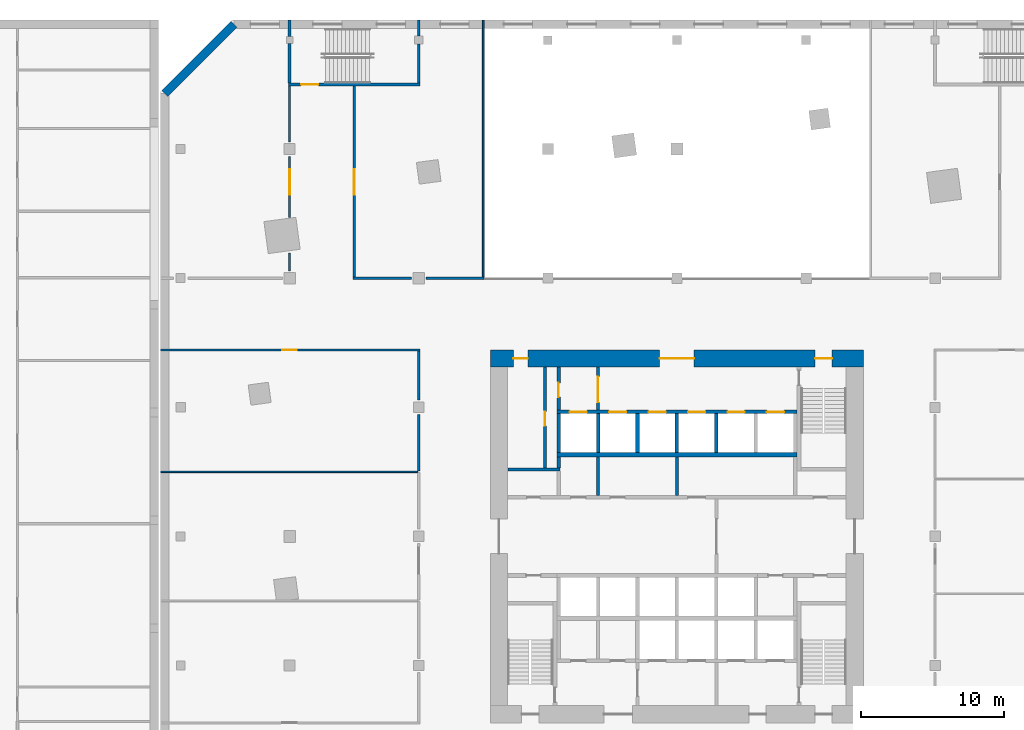
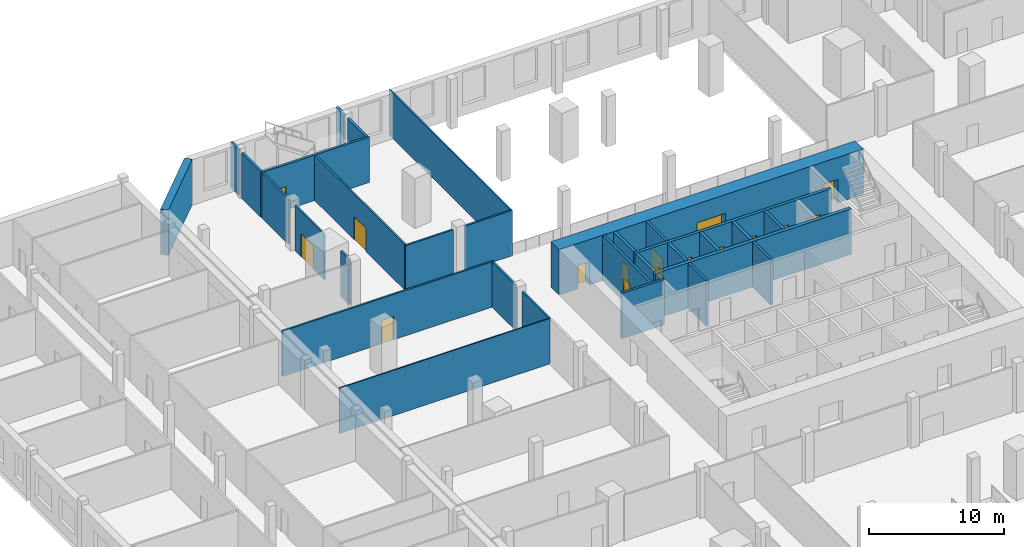
# One storey, part 16 of 27: 32 walls, 16 doors, 16 openings.
"""IFC4 building model written with IfcOpenShell, lengths in metres."""

from ifc_helpers import new_model, si_unit, direction, frame, frame_2d, origin, place, context, subcontext, project, spatial, rectangle, extrude, material, layer, layer_set, type_object, element, fill, save


model = new_model("IFC4")

# Units and contexts
model_context = context("Model", 3, precision=1e-05, world=origin(), true_north=direction((0.0, 1.0)))
body_context = subcontext(model_context, "Body", "Model", "MODEL_VIEW")
ifc_project = project(units=[si_unit("LENGTHUNIT", "METRE"), si_unit("AREAUNIT", "SQUARE_METRE"), si_unit("VOLUMEUNIT", "CUBIC_METRE"), si_unit("PLANEANGLEUNIT", "RADIAN"), si_unit("MASSUNIT", "GRAM", prefix="KILO")], contexts=[model_context])

# Site, building, storey
site_placement = place(None, origin())
site = spatial("IfcSite", under=ifc_project, at=site_placement, CompositionType="ELEMENT")
building_placement = place(site_placement, origin())
building = spatial("IfcBuilding", under=site, at=building_placement, Name="Dilmun Exchange Tower", CompositionType="ELEMENT")
storey_placement = place(building_placement, frame((0.0, 0.0, 4.5)))
storey = spatial("IfcBuildingStorey", under=building, at=storey_placement, Name="L01", CompositionType="ELEMENT", Elevation=4.5)

# Walls
ifc_material_1 = material(Name="Concrete C40/50", Category="concrete")
ifc_layer_1 = layer(ifc_material_1, 0.199951171875)
ifc_layer_set_1 = layer_set([ifc_layer_1], Name="Concrete C40/50")
wall_type_1 = type_object("IfcWallType", Name="Core partition wall 200", PredefinedType="PARTITIONING", material=ifc_layer_set_1)
for number, where, z_axis, x_axis, name in (
    (1, (-5.5, 2.85498046875, 0.0), (0.0, 0.0, 1.0), (0.0, 1.0, 0.0), "L01 core partition wall 12"),
    (2, (0.0, 2.85498046875, 0.0), (0.0, 0.0, 1.0), (0.0, 1.0, 0.0), "L01 core partition wall 13"),
):
    element("IfcWall", number, at=place(storey_placement, frame(where, z_axis=z_axis, x_axis=x_axis)), inside=storey, type_object=wall_type_1, Name=name, PredefinedType="PARTITIONING", context=body_context, shape_type="SweptSolid", body=[
        extrude(rectangle(XDim=2.68994140625, YDim=0.199951171875, at=frame_2d((1.344970703125, 0.0))), origin(), (0.0, 0.0, 1.0), 4.10009765625),
    ])
wall_1_placement = place(storey_placement, frame((-11.794921875, 4.675048828125, 0.0), z_axis=(0.0, 0.0, 1.0), x_axis=(1.0, 0.0, 0.0)))
element("IfcWall", 3, at=wall_1_placement, inside=storey, type_object=wall_type_1, Name="L01 core partition wall 15", PredefinedType="PARTITIONING", context=body_context, shape_type="SweptSolid", body=[
    extrude(rectangle(XDim=3.64501953125, YDim=0.199951171875, at=frame_2d((1.822509765625, 0.0))), origin(), (0.0, 0.0, 1.0), 4.10009765625),
])

# Wall, opening, door
wall_2_placement = place(storey_placement, frame((-9.199951171875, 4.780029296875, 0.0), z_axis=(0.0, 0.0, 1.0), x_axis=(0.0, 1.0, 0.0)))
wall_2 = element("IfcWall", 4, at=wall_2_placement, inside=storey, type_object=wall_type_1, Name="L01 core partition wall 16", PredefinedType="PARTITIONING", context=body_context, shape_type="SweptSolid", body=[
    extrude(rectangle(XDim=7.014892578125, YDim=0.199951171875, at=frame_2d((3.50732421875, 0.0))), origin(), (0.0, 0.0, 1.0), 4.10009765625),
])
opening_1_placement = place(wall_2_placement, frame((2.919921875, 0.0, 0.0)))
opening_1 = element("IfcOpeningElement", 5, at=opening_1_placement, cuts=wall_2, Name="Opening CD4", PredefinedType="OPENING", context=body_context, shape_type="SweptSolid", body=[
    extrude(rectangle(XDim=1.0, YDim=2.10009765625, at=frame_2d((0.5, 1.050048828125))), frame((0.0, 0.10986328125, 0.0), z_axis=(0.0, -1.0, 0.0), x_axis=(1.0, 0.0, 0.0)), (0.0, 0.0, 1.0), 0.219970703125),
])
ifc_material_2 = material(Name="Fire-rated steel door set", Category="steel")
door_type_1 = type_object("IfcDoorType", Name="Core room door 1000x2100", OperationType="SINGLE_SWING_LEFT", PredefinedType="DOOR", material=ifc_material_2)
door_1_placement = place(opening_1_placement, origin())
door_1 = element("IfcDoor", 6, at=door_1_placement, inside=storey, type_object=door_type_1, Name="L01 door Fire safety store", OperationType="SINGLE_SWING_RIGHT", OverallHeight=2.10009765625, OverallWidth=1.0, PredefinedType="DOOR", context=body_context, shape_type="SweptSolid", body=[
    extrude(rectangle(XDim=1.0, YDim=2.10009765625, at=frame_2d((0.5, 1.050048828125))), frame((0.0, 0.02490234375, 0.0), z_axis=(0.0, -1.0, 0.0), x_axis=(1.0, 0.0, 0.0)), (0.0, 0.0, 1.0), 0.050048828125),
])
fill(opening_1, door_1)

wall_3_placement = place(storey_placement, frame((-5.5, 8.804931640625, 0.0), z_axis=(0.0, 0.0, 1.0), x_axis=(0.0, 1.0, 0.0)))
wall_3 = element("IfcWall", 7, at=wall_3_placement, inside=storey, type_object=wall_type_1, Name="L01 core partition wall 19", PredefinedType="PARTITIONING", context=body_context, shape_type="SweptSolid", body=[
    extrude(rectangle(XDim=2.989990234375, YDim=0.199951171875, at=frame_2d((1.4951171875, 0.0))), origin(), (0.0, 0.0, 1.0), 4.10009765625),
])
opening_2_placement = place(wall_3_placement, frame((0.532470703125, 0.0, 0.0)))
opening_2 = element("IfcOpeningElement", 8, at=opening_2_placement, cuts=wall_3, Name="Opening CD5", PredefinedType="OPENING", context=body_context, shape_type="SweptSolid", body=[
    extrude(rectangle(XDim=1.800048828125, YDim=2.10009765625, at=frame_2d((0.89990234375, 1.050048828125))), frame((0.0, 0.10986328125, 0.0), z_axis=(0.0, -1.0, 0.0), x_axis=(1.0, 0.0, 0.0)), (0.0, 0.0, 1.0), 0.219970703125),
])
door_type_2 = type_object("IfcDoorType", Name="Stair exit door 1800x2100", OperationType="SINGLE_SWING_LEFT", PredefinedType="DOOR", material=ifc_material_2)
door_2_placement = place(opening_2_placement, origin())
door_2 = element("IfcDoor", 9, at=door_2_placement, inside=storey, type_object=door_type_2, Name="L01 door Lift lobby east", OperationType="SINGLE_SWING_LEFT", OverallHeight=2.10009765625, OverallWidth=1.800048828125, PredefinedType="DOOR", context=body_context, shape_type="SweptSolid", body=[
    extrude(rectangle(XDim=1.800048828125, YDim=2.10009765625, at=frame_2d((0.89990234375, 1.050048828125))), frame((0.0, 0.02490234375, 0.0), z_axis=(0.0, -1.0, 0.0), x_axis=(1.0, 0.0, 0.0)), (0.0, 0.0, 1.0), 0.050048828125),
])
fill(opening_2, door_2)

# Wall
ifc_layer_2 = layer(ifc_material_1, 0.25)
ifc_layer_set_2 = layer_set([ifc_layer_2], Name="Concrete C40/50")
wall_type_2 = type_object("IfcWallType", Name="Core partition wall 250", PredefinedType="PARTITIONING", material=ifc_layer_set_2)
wall_4_placement = place(storey_placement, frame((-8.25, 4.780029296875, 0.0), z_axis=(0.0, 0.0, 1.0), x_axis=(0.0, 1.0, 0.0)))
element("IfcWall", 10, at=wall_4_placement, inside=storey, type_object=wall_type_2, Name="L01 core partition wall 17", PredefinedType="PARTITIONING", context=body_context, shape_type="SweptSolid", body=[
    extrude(rectangle(XDim=0.764892578125, YDim=0.25, at=frame_2d((0.38232421875, 0.0))), origin(), (0.0, 0.0, 1.0), 4.10009765625),
])

# Wall, opening, door
wall_5_placement = place(storey_placement, frame((-8.25, 8.804931640625, 0.0), z_axis=(0.0, 0.0, 1.0), x_axis=(0.0, 1.0, 0.0)))
wall_5 = element("IfcWall", 11, at=wall_5_placement, inside=storey, type_object=wall_type_2, Name="L01 core partition wall 18", PredefinedType="PARTITIONING", context=body_context, shape_type="SweptSolid", body=[
    extrude(rectangle(XDim=2.989990234375, YDim=0.25, at=frame_2d((1.4951171875, 0.0))), origin(), (0.0, 0.0, 1.0), 4.10009765625),
])
opening_3_placement = place(wall_5_placement, frame((0.89501953125, 0.0, 0.0)))
opening_3 = element("IfcOpeningElement", 12, at=opening_3_placement, cuts=wall_5, Name="Opening CD4", PredefinedType="OPENING", context=body_context, shape_type="SweptSolid", body=[
    extrude(rectangle(XDim=1.0, YDim=2.10009765625, at=frame_2d((0.5, 1.050048828125))), frame((0.0, 0.135009765625, 0.0), z_axis=(0.0, -1.0, 0.0), x_axis=(1.0, 0.0, 0.0)), (0.0, 0.0, 1.0), 0.27001953125),
])
door_3_placement = place(opening_3_placement, origin())
door_3 = element("IfcDoor", 13, at=door_3_placement, inside=storey, type_object=door_type_1, Name="L01 door Tenant services room", OperationType="SINGLE_SWING_RIGHT", OverallHeight=2.10009765625, OverallWidth=1.0, PredefinedType="DOOR", context=body_context, shape_type="SweptSolid", body=[
    extrude(rectangle(XDim=1.0, YDim=2.10009765625, at=frame_2d((0.5, 1.050048828125))), frame((0.0, 0.02490234375, 0.0), z_axis=(0.0, -1.0, 0.0), x_axis=(1.0, 0.0, 0.0)), (0.0, 0.0, 1.0), 0.050048828125),
])
fill(opening_3, door_3)

# Wall, openings, doors
ifc_material_3 = material(Name="Concrete C80/95", Category="concrete")
ifc_layer_3 = layer(ifc_material_3, 1.199951171875)
ifc_layer_set_3 = layer_set([ifc_layer_3], Name="Concrete C80/95")
wall_type_3 = type_object("IfcWallType", Name="Core shear wall 1200 Concrete C80/95", PredefinedType="SHEAR", material=ifc_layer_set_3)
wall_6_placement = place(storey_placement, frame((-13.0, 12.39990234375, 0.0), z_axis=(0.0, 0.0, 1.0), x_axis=(1.0, 0.0, 0.0)))
wall_6 = element("IfcWall", 14, at=wall_6_placement, inside=storey, type_object=wall_type_3, Name="L01 core shear wall N", PredefinedType="SHEAR", context=body_context, shape_type="SweptSolid", body=[
    extrude(rectangle(XDim=26.0, YDim=1.199951171875, at=frame_2d((13.0, 0.0))), origin(), (0.0, 0.0, 1.0), 4.10009765625),
])
opening_4_placement = place(wall_6_placement, frame((11.800048828125, 0.0, 0.0)))
opening_4 = element("IfcOpeningElement", 15, at=opening_4_placement, cuts=wall_6, Name="Opening CD1", PredefinedType="OPENING", context=body_context, shape_type="SweptSolid", body=[
    extrude(rectangle(XDim=2.39990234375, YDim=2.39990234375, at=frame_2d((1.199951171875, 1.199951171875))), frame((0.0, 0.60986328125, 0.0), z_axis=(0.0, -1.0, 0.0), x_axis=(1.0, 0.0, 0.0)), (0.0, 0.0, 1.0), 1.219970703125),
])
opening_5_placement = place(wall_6_placement, frame((22.625, 0.0, 0.0)))
opening_5 = element("IfcOpeningElement", 16, at=opening_5_placement, cuts=wall_6, Name="Opening CD3", PredefinedType="OPENING", context=body_context, shape_type="SweptSolid", body=[
    extrude(rectangle(XDim=1.199951171875, YDim=2.10009765625, at=frame_2d((0.60009765625, 1.050048828125))), frame((0.0, 0.60986328125, 0.0), z_axis=(0.0, -1.0, 0.0), x_axis=(1.0, 0.0, 0.0)), (0.0, 0.0, 1.0), 1.219970703125),
])
opening_6_placement = place(wall_6_placement, frame((1.60009765625, 0.0, 0.0)))
opening_6 = element("IfcOpeningElement", 17, at=opening_6_placement, cuts=wall_6, Name="Opening CD4", PredefinedType="OPENING", context=body_context, shape_type="SweptSolid", body=[
    extrude(rectangle(XDim=1.0, YDim=2.10009765625, at=frame_2d((0.5, 1.050048828125))), frame((0.0, 0.60986328125, 0.0), z_axis=(0.0, -1.0, 0.0), x_axis=(1.0, 0.0, 0.0)), (0.0, 0.0, 1.0), 1.219970703125),
])
door_type_3 = type_object("IfcDoorType", Name="Core lobby door 2400x2400", OperationType="DOUBLE_DOOR_DOUBLE_SWING", PredefinedType="DOOR", material=ifc_material_2)
door_4_placement = place(opening_4_placement, origin())
door_4 = element("IfcDoor", 18, at=door_4_placement, inside=storey, type_object=door_type_3, Name="L01 door North lift lobby", OperationType="SINGLE_SWING_LEFT", OverallHeight=2.39990234375, OverallWidth=2.39990234375, PredefinedType="DOOR", context=body_context, shape_type="SweptSolid", body=[
    extrude(rectangle(XDim=2.39990234375, YDim=2.39990234375, at=frame_2d((1.199951171875, 1.199951171875))), frame((0.0, 0.02490234375, 0.0), z_axis=(0.0, -1.0, 0.0), x_axis=(1.0, 0.0, 0.0)), (0.0, 0.0, 1.0), 0.050048828125),
])
fill(opening_4, door_4)
door_5_placement = place(opening_6_placement, origin())
door_5 = element("IfcDoor", 19, at=door_5_placement, inside=storey, type_object=door_type_1, Name="L01 door North-west core rooms", OperationType="SINGLE_SWING_LEFT", OverallHeight=2.10009765625, OverallWidth=1.0, PredefinedType="DOOR", context=body_context, shape_type="SweptSolid", body=[
    extrude(rectangle(XDim=1.0, YDim=2.10009765625, at=frame_2d((0.5, 1.050048828125))), frame((0.0, 0.02490234375, 0.0), z_axis=(0.0, -1.0, 0.0), x_axis=(1.0, 0.0, 0.0)), (0.0, 0.0, 1.0), 0.050048828125),
])
fill(opening_6, door_5)
door_type_4 = type_object("IfcDoorType", Name="Stair exit door 1200x2100", OperationType="SINGLE_SWING_LEFT", PredefinedType="DOOR", material=ifc_material_2)
door_6_placement = place(opening_5_placement, origin())
door_6 = element("IfcDoor", 20, at=door_6_placement, inside=storey, type_object=door_type_4, Name="L01 door Stair ST1", OperationType="SINGLE_SWING_LEFT", OverallHeight=2.10009765625, OverallWidth=1.199951171875, PredefinedType="DOOR", context=body_context, shape_type="SweptSolid", body=[
    extrude(rectangle(XDim=1.199951171875, YDim=2.10009765625, at=frame_2d((0.60009765625, 1.050048828125))), frame((0.0, 0.02490234375, 0.0), z_axis=(0.0, -1.0, 0.0), x_axis=(1.0, 0.0, 0.0)), (0.0, 0.0, 1.0), 0.050048828125),
])
fill(opening_5, door_6)

# Wall, opening, door
ifc_material_4 = material(Name="Fire partition EI 60 150 gypsum")
ifc_layer_4 = layer(ifc_material_4, 0.14990234375)
ifc_layer_set_4 = layer_set([ifc_layer_4], Name="Fire partition EI 60 150 gypsum")
wall_type_4 = type_object("IfcWallType", Name="Fire partition EI 60 150 gypsum", PredefinedType="PARTITIONING", material=ifc_layer_set_4)
wall_7_placement = place(storey_placement, frame((-36.0, 13.0, 0.0), z_axis=(0.0, 0.0, 1.0), x_axis=(1.0, 0.0, 0.0)))
wall_7 = element("IfcWall", 21, at=wall_7_placement, inside=storey, type_object=wall_type_4, Name="L01 partition", PredefinedType="PARTITIONING", context=body_context, shape_type="SweptSolid", body=[
    extrude(rectangle(XDim=18.074951171875, YDim=0.14990234375, at=frame_2d((9.03759765625, 0.0))), origin(), (0.0, 0.0, 1.0), 4.10009765625),
])
opening_7_placement = place(wall_7_placement, frame((8.5, 0.0, 0.0)))
opening_7 = element("IfcOpeningElement", 22, at=opening_7_placement, cuts=wall_7, Name="Opening L01-D018", PredefinedType="OPENING", context=body_context, shape_type="SweptSolid", body=[
    extrude(rectangle(XDim=1.0, YDim=2.10009765625, at=frame_2d((0.5, 1.050048828125))), frame((0.0, 0.0849609375, 0.0), z_axis=(0.0, -1.0, 0.0), x_axis=(1.0, 0.0, 0.0)), (0.0, 0.0, 1.0), 0.169921875),
])
ifc_material_5 = material(Name="Fire door FD60 1000 x 2100")
door_type_5 = type_object("IfcDoorType", Name="Fire door FD60 1000 x 2100", OperationType="SINGLE_SWING_LEFT", PredefinedType="DOOR", material=ifc_material_5)
door_7_placement = place(opening_7_placement, origin())
door_7 = element("IfcDoor", 23, at=door_7_placement, inside=storey, type_object=door_type_5, Name="L01 door L01-D018", OperationType="SINGLE_SWING_RIGHT", OverallHeight=2.10009765625, OverallWidth=1.0, PredefinedType="DOOR", context=body_context, shape_type="SweptSolid", body=[
    extrude(rectangle(XDim=1.0, YDim=2.10009765625, at=frame_2d((0.5, 1.050048828125))), frame((0.0, 0.02490234375, 0.0), z_axis=(0.0, -1.0, 0.0), x_axis=(1.0, 0.0, 0.0)), (0.0, 0.0, 1.0), 0.050048828125),
])
fill(opening_7, door_7)

# Walls
wall_8_placement = place(storey_placement, frame((-22.574951171875, 18.0, 0.0), z_axis=(0.0, 0.0, 1.0), x_axis=(1.0, 0.0, 0.0)))
element("IfcWall", 24, at=wall_8_placement, inside=storey, type_object=wall_type_4, Name="L01 partition", PredefinedType="PARTITIONING", context=body_context, shape_type="SweptSolid", body=[
    extrude(rectangle(XDim=4.074951171875, YDim=0.14990234375, at=frame_2d((2.03759765625, 0.0))), origin(), (0.0, 0.0, 1.0), 4.10009765625),
])
wall_9_placement = place(storey_placement, frame((-17.5, 18.0, 0.0), z_axis=(0.0, 0.0, 1.0), x_axis=(1.0, 0.0, 0.0)))
element("IfcWall", 25, at=wall_9_placement, inside=storey, type_object=wall_type_4, Name="L01 partition", PredefinedType="PARTITIONING", context=body_context, shape_type="SweptSolid", body=[
    extrude(rectangle(XDim=4.06005859375, YDim=0.14990234375, at=frame_2d((2.030029296875, 0.0))), origin(), (0.0, 0.0, 1.0), 4.10009765625),
])
wall_10_placement = place(storey_placement, frame((-27.0, 18.5, 0.0), z_axis=(0.0, 0.0, 1.0), x_axis=(0.0, 1.0, 0.0)))
element("IfcWall", 26, at=wall_10_placement, inside=storey, type_object=wall_type_4, Name="L01 partition", PredefinedType="PARTITIONING", context=body_context, shape_type="SweptSolid", body=[
    extrude(rectangle(XDim=1.24169921875, YDim=0.14990234375, at=frame_2d((0.620849609375, 0.0))), origin(), (0.0, 0.0, 1.0), 4.10009765625),
])

# Wall, opening, door
wall_11_placement = place(storey_placement, frame((-27.0, 22.21630859375, 0.0), z_axis=(0.0, 0.0, 1.0), x_axis=(0.0, 1.0, 0.0)))
wall_11 = element("IfcWall", 27, at=wall_11_placement, inside=storey, type_object=wall_type_4, Name="L01 partition", PredefinedType="PARTITIONING", context=body_context, shape_type="SweptSolid", body=[
    extrude(rectangle(XDim=4.28369140625, YDim=0.14990234375, at=frame_2d((2.141845703125, 0.0))), origin(), (0.0, 0.0, 1.0), 4.10009765625),
])
opening_8_placement = place(wall_11_placement, frame((1.583740234375, 0.0, 0.0)))
opening_8 = element("IfcOpeningElement", 28, at=opening_8_placement, cuts=wall_11, Name="Opening L01-D008", PredefinedType="OPENING", context=body_context, shape_type="SweptSolid", body=[
    extrude(rectangle(XDim=1.800048828125, YDim=2.10009765625, at=frame_2d((0.89990234375, 1.050048828125))), frame((0.0, 0.0849609375, 0.0), z_axis=(0.0, -1.0, 0.0), x_axis=(1.0, 0.0, 0.0)), (0.0, 0.0, 1.0), 0.169921875),
])
ifc_material_6 = material(Name="Fire door FD60 double 1800 x 2100")
door_type_6 = type_object("IfcDoorType", Name="Fire door FD60 double 1800 x 2100", OperationType="DOUBLE_DOOR_SINGLE_SWING", PredefinedType="DOOR", material=ifc_material_6)
door_8_placement = place(opening_8_placement, origin())
door_8 = element("IfcDoor", 29, at=door_8_placement, inside=storey, type_object=door_type_6, Name="L01 door L01-D008", OperationType="DOUBLE_DOOR_SINGLE_SWING", OverallHeight=2.10009765625, OverallWidth=1.800048828125, PredefinedType="DOOR", context=body_context, shape_type="SweptSolid", body=[
    extrude(rectangle(XDim=1.800048828125, YDim=2.10009765625, at=frame_2d((0.89990234375, 1.050048828125))), frame((0.0, 0.02490234375, 0.0), z_axis=(0.0, -1.0, 0.0), x_axis=(1.0, 0.0, 0.0)), (0.0, 0.0, 1.0), 0.050048828125),
])
fill(opening_8, door_8)

# Wall
wall_12_placement = place(storey_placement, frame((-27.0, 27.5, 0.0), z_axis=(0.0, 0.0, 1.0), x_axis=(0.0, 1.0, 0.0)))
element("IfcWall", 30, at=wall_12_placement, inside=storey, type_object=wall_type_4, Name="L01 partition", PredefinedType="PARTITIONING", context=body_context, shape_type="SweptSolid", body=[
    extrude(rectangle(XDim=3.89990234375, YDim=0.14990234375, at=frame_2d((1.949951171875, 0.0))), origin(), (0.0, 0.0, 1.0), 4.10009765625),
])

# Wall, opening, door
wall_13_placement = place(storey_placement, frame((-22.5, 18.074951171875, 0.0), z_axis=(0.0, 0.0, 1.0), x_axis=(0.0, 1.0, 0.0)))
wall_13 = element("IfcWall", 31, at=wall_13_placement, inside=storey, type_object=wall_type_4, Name="L01 partition", PredefinedType="PARTITIONING", context=body_context, shape_type="SweptSolid", body=[
    extrude(rectangle(XDim=13.324951171875, YDim=0.14990234375, at=frame_2d((6.66259765625, 0.0))), origin(), (0.0, 0.0, 1.0), 4.10009765625),
])
opening_9_placement = place(wall_13_placement, frame((5.72509765625, 0.0, 0.0)))
opening_9 = element("IfcOpeningElement", 32, at=opening_9_placement, cuts=wall_13, Name="Opening L01-D009", PredefinedType="OPENING", context=body_context, shape_type="SweptSolid", body=[
    extrude(rectangle(XDim=1.800048828125, YDim=2.10009765625, at=frame_2d((0.89990234375, 1.050048828125))), frame((0.0, 0.0849609375, 0.0), z_axis=(0.0, -1.0, 0.0), x_axis=(1.0, 0.0, 0.0)), (0.0, 0.0, 1.0), 0.169921875),
])
door_9_placement = place(opening_9_placement, origin())
door_9 = element("IfcDoor", 33, at=door_9_placement, inside=storey, type_object=door_type_6, Name="L01 door L01-D009", OperationType="DOUBLE_DOOR_SINGLE_SWING", OverallHeight=2.10009765625, OverallWidth=1.800048828125, PredefinedType="DOOR", context=body_context, shape_type="SweptSolid", body=[
    extrude(rectangle(XDim=1.800048828125, YDim=2.10009765625, at=frame_2d((0.89990234375, 1.050048828125))), frame((0.0, 0.02490234375, 0.0), z_axis=(0.0, -1.0, 0.0), x_axis=(1.0, 0.0, 0.0)), (0.0, 0.0, 1.0), 0.050048828125),
])
fill(opening_9, door_9)

# Walls
wall_14_placement = place(storey_placement, frame((-18.0, 4.550048828125, 0.0), z_axis=(0.0, 0.0, 1.0), x_axis=(0.0, 1.0, 0.0)))
element("IfcWall", 34, at=wall_14_placement, inside=storey, type_object=wall_type_4, Name="L01 partition", PredefinedType="PARTITIONING", context=body_context, shape_type="SweptSolid", body=[
    extrude(rectangle(XDim=3.949951171875, YDim=0.14990234375, at=frame_2d((1.97509765625, 0.0))), origin(), (0.0, 0.0, 1.0), 4.10009765625),
])
wall_15_placement = place(storey_placement, frame((-18.0, 9.5, 0.0), z_axis=(0.0, 0.0, 1.0), x_axis=(0.0, 1.0, 0.0)))
element("IfcWall", 35, at=wall_15_placement, inside=storey, type_object=wall_type_4, Name="L01 partition", PredefinedType="PARTITIONING", context=body_context, shape_type="SweptSolid", body=[
    extrude(rectangle(XDim=3.425048828125, YDim=0.14990234375, at=frame_2d((1.71240234375, 0.0))), origin(), (0.0, 0.0, 1.0), 4.10009765625),
])

# Wall, opening, door
ifc_material_7 = material(Name="Fire wall EI 120 200 blockwork", Category="masonry")
ifc_layer_5 = layer(ifc_material_7, 0.199951171875)
ifc_layer_set_5 = layer_set([ifc_layer_5], Name="Fire wall EI 120 200 blockwork")
wall_type_5 = type_object("IfcWallType", Name="Fire wall EI 120 200 blockwork", PredefinedType="PARTITIONING", material=ifc_layer_set_5)
wall_16_placement = place(storey_placement, frame((-27.074951171875, 31.5, 0.0), z_axis=(0.0, 0.0, 1.0), x_axis=(1.0, 0.0, 0.0)))
wall_16 = element("IfcWall", 36, at=wall_16_placement, inside=storey, type_object=wall_type_5, Name="L01 stair wall", PredefinedType="PARTITIONING", context=body_context, shape_type="SweptSolid", body=[
    extrude(rectangle(XDim=9.175048828125, YDim=0.199951171875, at=frame_2d((4.58740234375, 0.0))), origin(), (0.0, 0.0, 1.0), 4.10009765625),
])
opening_10_placement = place(wall_16_placement, frame((0.875, 0.0, 0.0)))
opening_10 = element("IfcOpeningElement", 37, at=opening_10_placement, cuts=wall_16, Name="Opening L01-D001", PredefinedType="OPENING", context=body_context, shape_type="SweptSolid", body=[
    extrude(rectangle(XDim=1.199951171875, YDim=2.10009765625, at=frame_2d((0.60009765625, 1.050048828125))), frame((0.0, 0.10986328125, 0.0), z_axis=(0.0, -1.0, 0.0), x_axis=(1.0, 0.0, 0.0)), (0.0, 0.0, 1.0), 0.219970703125),
])
ifc_material_8 = material(Name="Stair door FD90 1200 x 2100")
door_type_7 = type_object("IfcDoorType", Name="Stair door FD90 1200 x 2100", OperationType="SINGLE_SWING_LEFT", PredefinedType="DOOR", material=ifc_material_8)
door_10_placement = place(opening_10_placement, origin())
door_10 = element("IfcDoor", 38, at=door_10_placement, inside=storey, type_object=door_type_7, Name="L01 door L01-D001", OperationType="SINGLE_SWING_LEFT", OverallHeight=2.10009765625, OverallWidth=1.199951171875, PredefinedType="DOOR", context=body_context, shape_type="SweptSolid", body=[
    extrude(rectangle(XDim=1.199951171875, YDim=2.10009765625, at=frame_2d((0.60009765625, 1.050048828125))), frame((0.0, 0.02490234375, 0.0), z_axis=(0.0, -1.0, 0.0), x_axis=(1.0, 0.0, 0.0)), (0.0, 0.0, 1.0), 0.050048828125),
])
fill(opening_10, door_10)

# Walls
wall_17_placement = place(storey_placement, frame((-27.0, 31.60009765625, 0.0), z_axis=(0.0, 0.0, 1.0), x_axis=(0.0, 1.0, 0.0)))
element("IfcWall", 39, at=wall_17_placement, inside=storey, type_object=wall_type_5, Name="L01 stair wall", PredefinedType="PARTITIONING", context=body_context, shape_type="SweptSolid", body=[
    extrude(rectangle(XDim=2.762451171875, YDim=0.199951171875, at=frame_2d((1.38134765625, 0.0))), origin(), (0.0, 0.0, 1.0), 4.10009765625),
])
wall_18_placement = place(storey_placement, frame((-27.0, 34.83740234375, 0.0), z_axis=(0.0, 0.0, 1.0), x_axis=(0.0, 1.0, 0.0)))
element("IfcWall", 40, at=wall_18_placement, inside=storey, type_object=wall_type_5, Name="L01 stair wall", PredefinedType="PARTITIONING", context=body_context, shape_type="SweptSolid", body=[
    extrude(rectangle(XDim=1.16259765625, YDim=0.199951171875, at=frame_2d((0.581298828125, 0.0))), origin(), (0.0, 0.0, 1.0), 4.10009765625),
])
wall_19_placement = place(storey_placement, frame((-18.0, 31.60009765625, 0.0), z_axis=(0.0, 0.0, 1.0), x_axis=(0.0, 1.0, 0.0)))
element("IfcWall", 41, at=wall_19_placement, inside=storey, type_object=wall_type_5, Name="L01 stair wall", PredefinedType="PARTITIONING", context=body_context, shape_type="SweptSolid", body=[
    extrude(rectangle(XDim=2.71240234375, YDim=0.199951171875, at=frame_2d((1.356201171875, 0.0))), origin(), (0.0, 0.0, 1.0), 4.10009765625),
])
wall_20_placement = place(storey_placement, frame((-18.0, 34.887451171875, 0.0), z_axis=(0.0, 0.0, 1.0), x_axis=(0.0, 1.0, 0.0)))
element("IfcWall", 42, at=wall_20_placement, inside=storey, type_object=wall_type_5, Name="L01 stair wall", PredefinedType="PARTITIONING", context=body_context, shape_type="SweptSolid", body=[
    extrude(rectangle(XDim=1.112548828125, YDim=0.199951171875, at=frame_2d((0.55615234375, 0.0))), origin(), (0.0, 0.0, 1.0), 4.10009765625),
])
ifc_material_9 = material(Name="Glazed partition EI 60 120")
ifc_layer_6 = layer(ifc_material_9, 0.1201171875)
ifc_layer_set_6 = layer_set([ifc_layer_6], Name="Glazed partition EI 60 120")
wall_type_6 = type_object("IfcWallType", Name="Glazed partition EI 60 120", PredefinedType="PARTITIONING", material=ifc_layer_set_6)
wall_21_placement = place(storey_placement, frame((-13.5, 18.074951171875, 0.0), z_axis=(0.0, 0.0, 1.0), x_axis=(0.0, 1.0, 0.0)))
element("IfcWall", 43, at=wall_21_placement, inside=storey, type_object=wall_type_6, Name="L01 partition", PredefinedType="PARTITIONING", context=body_context, shape_type="SweptSolid", body=[
    extrude(rectangle(XDim=17.925048828125, YDim=0.1201171875, at=frame_2d((8.96240234375, 0.0))), origin(), (0.0, 0.0, 1.0), 4.10009765625),
])
ifc_layer_7 = layer(ifc_material_1, 0.300048828125)
ifc_layer_set_7 = layer_set([ifc_layer_7], Name="Concrete C40/50")
wall_type_7 = type_object("IfcWallType", Name="Lift shaft shared wall 300", PredefinedType="SOLIDWALL", material=ifc_layer_set_7)
wall_22_placement = place(storey_placement, frame((-8.375, 5.699951171875, 0.0), z_axis=(0.0, 0.0, 1.0), x_axis=(1.0, 0.0, 0.0)))
element("IfcWall", 44, at=wall_22_placement, inside=storey, type_object=wall_type_7, Name="L01 lift shaft rear wall N", PredefinedType="SOLIDWALL", context=body_context, shape_type="SweptSolid", body=[
    extrude(rectangle(XDim=16.75, YDim=0.300048828125, at=frame_2d((8.375, 0.0))), origin(), (0.0, 0.0, 1.0), 4.10009765625),
])

# Wall, openings, doors
ifc_layer_8 = layer(ifc_material_1, 0.25)
ifc_layer_set_8 = layer_set([ifc_layer_8], Name="Concrete C40/50")
wall_type_8 = type_object("IfcWallType", Name="Lift shaft wall 250", PredefinedType="SOLIDWALL", material=ifc_layer_set_8)
wall_23_placement = place(storey_placement, frame((-8.375, 8.675048828125, 0.0), z_axis=(0.0, 0.0, 1.0), x_axis=(1.0, 0.0, 0.0)))
wall_23 = element("IfcWall", 45, at=wall_23_placement, inside=storey, type_object=wall_type_8, Name="L01 lift shaft front wall N2", PredefinedType="SOLIDWALL", context=body_context, shape_type="SweptSolid", body=[
    extrude(rectangle(XDim=16.75, YDim=0.25, at=frame_2d((8.375, 0.0))), origin(), (0.0, 0.0, 1.0), 4.10009765625),
])
opening_11_placement = place(wall_23_placement, frame((0.89990234375, 0.0, 0.0)))
opening_11 = element("IfcOpeningElement", 46, at=opening_11_placement, cuts=wall_23, Name="Opening LD", PredefinedType="OPENING", context=body_context, shape_type="SweptSolid", body=[
    extrude(rectangle(XDim=1.199951171875, YDim=2.10009765625, at=frame_2d((0.60009765625, 1.050048828125))), frame((0.0, 0.135009765625, 0.0), z_axis=(0.0, -1.0, 0.0), x_axis=(1.0, 0.0, 0.0)), (0.0, 0.0, 1.0), 0.27001953125),
])
opening_12_placement = place(wall_23_placement, frame((3.64990234375, 0.0, 0.0)))
opening_12 = element("IfcOpeningElement", 47, at=opening_12_placement, cuts=wall_23, Name="Opening LD", PredefinedType="OPENING", context=body_context, shape_type="SweptSolid", body=[
    extrude(rectangle(XDim=1.199951171875, YDim=2.10009765625, at=frame_2d((0.60009765625, 1.050048828125))), frame((0.0, 0.135009765625, 0.0), z_axis=(0.0, -1.0, 0.0), x_axis=(1.0, 0.0, 0.0)), (0.0, 0.0, 1.0), 0.27001953125),
])
opening_13_placement = place(wall_23_placement, frame((6.39990234375, 0.0, 0.0)))
opening_13 = element("IfcOpeningElement", 48, at=opening_13_placement, cuts=wall_23, Name="Opening LD", PredefinedType="OPENING", context=body_context, shape_type="SweptSolid", body=[
    extrude(rectangle(XDim=1.199951171875, YDim=2.10009765625, at=frame_2d((0.60009765625, 1.050048828125))), frame((0.0, 0.135009765625, 0.0), z_axis=(0.0, -1.0, 0.0), x_axis=(1.0, 0.0, 0.0)), (0.0, 0.0, 1.0), 0.27001953125),
])
opening_14_placement = place(wall_23_placement, frame((9.14990234375, 0.0, 0.0)))
opening_14 = element("IfcOpeningElement", 49, at=opening_14_placement, cuts=wall_23, Name="Opening LD", PredefinedType="OPENING", context=body_context, shape_type="SweptSolid", body=[
    extrude(rectangle(XDim=1.199951171875, YDim=2.10009765625, at=frame_2d((0.60009765625, 1.050048828125))), frame((0.0, 0.135009765625, 0.0), z_axis=(0.0, -1.0, 0.0), x_axis=(1.0, 0.0, 0.0)), (0.0, 0.0, 1.0), 0.27001953125),
])
opening_15_placement = place(wall_23_placement, frame((11.89990234375, 0.0, 0.0)))
opening_15 = element("IfcOpeningElement", 50, at=opening_15_placement, cuts=wall_23, Name="Opening LD", PredefinedType="OPENING", context=body_context, shape_type="SweptSolid", body=[
    extrude(rectangle(XDim=1.199951171875, YDim=2.10009765625, at=frame_2d((0.60009765625, 1.050048828125))), frame((0.0, 0.135009765625, 0.0), z_axis=(0.0, -1.0, 0.0), x_axis=(1.0, 0.0, 0.0)), (0.0, 0.0, 1.0), 0.27001953125),
])
opening_16_placement = place(wall_23_placement, frame((14.64990234375, 0.0, 0.0)))
opening_16 = element("IfcOpeningElement", 51, at=opening_16_placement, cuts=wall_23, Name="Opening LD", PredefinedType="OPENING", context=body_context, shape_type="SweptSolid", body=[
    extrude(rectangle(XDim=1.199951171875, YDim=2.10009765625, at=frame_2d((0.60009765625, 1.050048828125))), frame((0.0, 0.135009765625, 0.0), z_axis=(0.0, -1.0, 0.0), x_axis=(1.0, 0.0, 0.0)), (0.0, 0.0, 1.0), 0.27001953125),
])
door_type_8 = type_object("IfcDoorType", Name="Lift landing door 1200x2100", OperationType="DOUBLE_DOOR_SLIDING", PredefinedType="DOOR", material=ifc_material_2)
door_11_placement = place(opening_11_placement, origin())
door_11 = element("IfcDoor", 52, at=door_11_placement, inside=storey, type_object=door_type_8, Name="L01 landing door LR1", OperationType="DOUBLE_DOOR_SLIDING", OverallHeight=2.10009765625, OverallWidth=1.199951171875, PredefinedType="DOOR", context=body_context, shape_type="SweptSolid", body=[
    extrude(rectangle(XDim=1.199951171875, YDim=2.10009765625, at=frame_2d((0.60009765625, 1.050048828125))), frame((0.0, 0.02490234375, 0.0), z_axis=(0.0, -1.0, 0.0), x_axis=(1.0, 0.0, 0.0)), (0.0, 0.0, 1.0), 0.050048828125),
])
fill(opening_11, door_11)
door_12_placement = place(opening_12_placement, origin())
door_12 = element("IfcDoor", 53, at=door_12_placement, inside=storey, type_object=door_type_8, Name="L01 landing door LR2", OperationType="DOUBLE_DOOR_SLIDING", OverallHeight=2.10009765625, OverallWidth=1.199951171875, PredefinedType="DOOR", context=body_context, shape_type="SweptSolid", body=[
    extrude(rectangle(XDim=1.199951171875, YDim=2.10009765625, at=frame_2d((0.60009765625, 1.050048828125))), frame((0.0, 0.02490234375, 0.0), z_axis=(0.0, -1.0, 0.0), x_axis=(1.0, 0.0, 0.0)), (0.0, 0.0, 1.0), 0.050048828125),
])
fill(opening_12, door_12)
door_13_placement = place(opening_13_placement, origin())
door_13 = element("IfcDoor", 54, at=door_13_placement, inside=storey, type_object=door_type_8, Name="L01 landing door LR3", OperationType="DOUBLE_DOOR_SLIDING", OverallHeight=2.10009765625, OverallWidth=1.199951171875, PredefinedType="DOOR", context=body_context, shape_type="SweptSolid", body=[
    extrude(rectangle(XDim=1.199951171875, YDim=2.10009765625, at=frame_2d((0.60009765625, 1.050048828125))), frame((0.0, 0.02490234375, 0.0), z_axis=(0.0, -1.0, 0.0), x_axis=(1.0, 0.0, 0.0)), (0.0, 0.0, 1.0), 0.050048828125),
])
fill(opening_13, door_13)
door_14_placement = place(opening_14_placement, origin())
door_14 = element("IfcDoor", 55, at=door_14_placement, inside=storey, type_object=door_type_8, Name="L01 landing door LR4", OperationType="DOUBLE_DOOR_SLIDING", OverallHeight=2.10009765625, OverallWidth=1.199951171875, PredefinedType="DOOR", context=body_context, shape_type="SweptSolid", body=[
    extrude(rectangle(XDim=1.199951171875, YDim=2.10009765625, at=frame_2d((0.60009765625, 1.050048828125))), frame((0.0, 0.02490234375, 0.0), z_axis=(0.0, -1.0, 0.0), x_axis=(1.0, 0.0, 0.0)), (0.0, 0.0, 1.0), 0.050048828125),
])
fill(opening_14, door_14)
door_15_placement = place(opening_15_placement, origin())
door_15 = element("IfcDoor", 56, at=door_15_placement, inside=storey, type_object=door_type_8, Name="L01 landing door LR5", OperationType="DOUBLE_DOOR_SLIDING", OverallHeight=2.10009765625, OverallWidth=1.199951171875, PredefinedType="DOOR", context=body_context, shape_type="SweptSolid", body=[
    extrude(rectangle(XDim=1.199951171875, YDim=2.10009765625, at=frame_2d((0.60009765625, 1.050048828125))), frame((0.0, 0.02490234375, 0.0), z_axis=(0.0, -1.0, 0.0), x_axis=(1.0, 0.0, 0.0)), (0.0, 0.0, 1.0), 0.050048828125),
])
fill(opening_15, door_15)
door_16_placement = place(opening_16_placement, origin())
door_16 = element("IfcDoor", 57, at=door_16_placement, inside=storey, type_object=door_type_8, Name="L01 landing door LR6", OperationType="DOUBLE_DOOR_SLIDING", OverallHeight=2.10009765625, OverallWidth=1.199951171875, PredefinedType="DOOR", context=body_context, shape_type="SweptSolid", body=[
    extrude(rectangle(XDim=1.199951171875, YDim=2.10009765625, at=frame_2d((0.60009765625, 1.050048828125))), frame((0.0, 0.02490234375, 0.0), z_axis=(0.0, -1.0, 0.0), x_axis=(1.0, 0.0, 0.0)), (0.0, 0.0, 1.0), 0.050048828125),
])
fill(opening_16, door_16)

# Walls
for number, where, z_axis, x_axis, name in (
    (58, (-8.25, 5.85009765625, 0.0), (0.0, 0.0, 1.0), (0.0, 1.0, 0.0), "L01 lift shaft divider N20"),
    (59, (-5.5, 5.85009765625, 0.0), (0.0, 0.0, 1.0), (0.0, 1.0, 0.0), "L01 lift shaft divider N21"),
    (60, (-2.75, 5.85009765625, 0.0), (0.0, 0.0, 1.0), (0.0, 1.0, 0.0), "L01 lift shaft divider N22"),
    (61, (0.0, 5.85009765625, 0.0), (0.0, 0.0, 1.0), (0.0, 1.0, 0.0), "L01 lift shaft divider N23"),
    (62, (2.75, 5.85009765625, 0.0), (0.0, 0.0, 1.0), (0.0, 1.0, 0.0), "L01 lift shaft divider N24"),
):
    element("IfcWall", number, at=place(storey_placement, frame(where, z_axis=z_axis, x_axis=x_axis)), inside=storey, type_object=wall_type_8, Name=name, PredefinedType="SOLIDWALL", context=body_context, shape_type="SweptSolid", body=[
        extrude(rectangle(XDim=2.699951171875, YDim=0.25, at=frame_2d((1.35009765625, 0.0))), origin(), (0.0, 0.0, 1.0), 4.10009765625),
    ])
ifc_material_10 = material(Name="Partition 100 gypsum")
ifc_layer_9 = layer(ifc_material_10, 0.10009765625)
ifc_layer_set_9 = layer_set([ifc_layer_9], Name="Partition 100 gypsum")
wall_type_9 = type_object("IfcWallType", Name="Partition 100 gypsum", PredefinedType="PARTITIONING", material=ifc_layer_set_9)
wall_24_placement = place(storey_placement, frame((-36.0, 4.5, 0.0), z_axis=(0.0, 0.0, 1.0), x_axis=(1.0, 0.0, 0.0)))
element("IfcWall", 63, at=wall_24_placement, inside=storey, type_object=wall_type_9, Name="L01 partition", PredefinedType="PARTITIONING", context=body_context, shape_type="SweptSolid", body=[
    extrude(rectangle(XDim=17.925048828125, YDim=0.10009765625, at=frame_2d((8.96240234375, 0.0))), origin(), (0.0, 0.0, 1.0), 4.10009765625),
])
ifc_material_11 = material(Name="Precast concrete C50/60", Category="concrete")
ifc_layer_10 = layer(ifc_material_11, 0.60009765625)
ifc_layer_set_10 = layer_set([ifc_layer_10], Name="Precast concrete C50/60")
wall_type_10 = type_object("IfcWallType", Name="Precast stone-clad wall 600", PredefinedType="STANDARD", material=ifc_layer_set_10)
wall_25_placement = place(storey_placement, frame((-30.875732421875, 35.699951171875, 0.0), z_axis=(0.0, 0.0, 1.0), x_axis=(-0.707106781187, -0.707106781187, 0.0)))
element("IfcWall", 64, at=wall_25_placement, inside=storey, type_object=wall_type_10, Name="Facade wall L01-05-0", PredefinedType="STANDARD", context=body_context, shape_type="SweptSolid", body=[
    extrude(rectangle(XDim=6.822509765625, YDim=0.60009765625, at=frame_2d((3.4111328125, 0.0))), origin(), (0.0, 0.0, 1.0), 4.10009765625),
])

save(model, "model.ifc")
